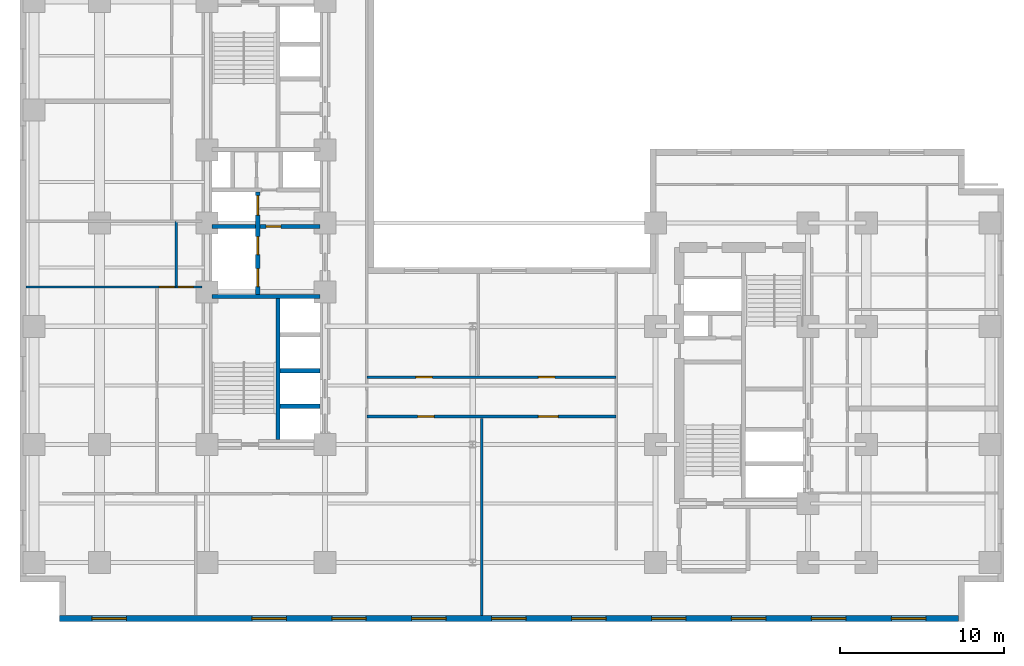
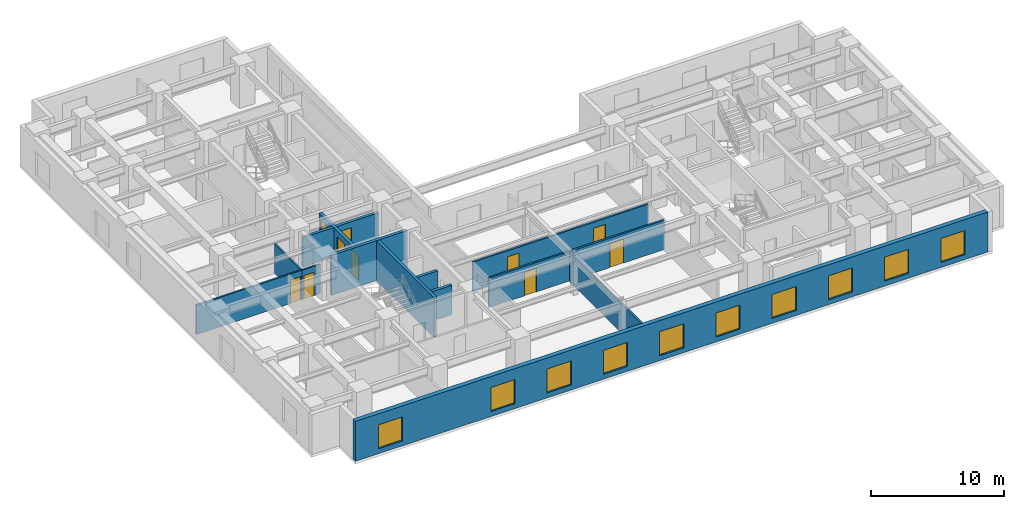
# One storey, part 3 of 9: 13 walls, 10 doors, 10 windows, 20 openings.
"""IFC4 building model written with IfcOpenShell, lengths in metres."""

from ifc_helpers import new_model, entity, si_unit, converted_unit, direction, frame, origin_with_axes, origin_2d_with_axis, place, context, subcontext, project, spatial, polyline, rectangle, outline, extrude, material, layer, layer_set, type_object, element, fill, save


model = new_model("IFC4")

# Units and contexts
model_context = context("Model", 3, precision=1e-05, world=origin_with_axes(), true_north=direction((0.0, 1.0)))
body_context = subcontext(model_context, "Body", "Model", "MODEL_VIEW")
ifc_project = project(units=[si_unit("LENGTHUNIT", "METRE"), si_unit("AREAUNIT", "SQUARE_METRE"), si_unit("VOLUMEUNIT", "CUBIC_METRE"), converted_unit("PLANEANGLEUNIT", "DEGREE", entity("IfcPlaneAngleMeasure", 0.017453292519943295), si_unit("PLANEANGLEUNIT", "RADIAN"), dimensions=[0, 0, 0, 0, 0, 0, 0]), si_unit("MASSUNIT", "GRAM", prefix="KILO"), si_unit("THERMODYNAMICTEMPERATUREUNIT", "KELVIN")], contexts=[model_context])

# Site, building, storey
site_placement = place(None, origin_with_axes())
site = spatial("IfcSite", under=ifc_project, at=site_placement, CompositionType="ELEMENT")
building_placement = place(site_placement, origin_with_axes())
building = spatial("IfcBuilding", under=site, at=building_placement, Name="Varnlund Millrace Tower", CompositionType="ELEMENT")
storey_placement = place(building_placement, frame((0.0, 0.0, 32.7), z_axis=(0.0, 0.0, 1.0), x_axis=(1.0, 0.0, 0.0)))
storey = spatial("IfcBuildingStorey", under=building, at=storey_placement, Name="L07", CompositionType="ELEMENT", Elevation=32.7)

# Wall, openings, windows
ifc_material_1 = material(Name="Precast concrete C50/60", Category="concrete")
ifc_layer_1 = layer(ifc_material_1, 0.38, Name="Precast concrete C50/60")
ifc_layer_set_1 = layer_set([ifc_layer_1], Name="Precast concrete C50/60")
wall_type_1 = type_object("IfcWallType", Name="Type-ExtWall-Precast-Tube-380", PredefinedType="SOLIDWALL", material=ifc_layer_set_1)
wall_1_placement = place(storey_placement, frame((57.22, 0.19, 0.0), z_axis=(0.0, 0.0, 1.0), x_axis=(-1.0, 0.0, 0.0)))
wall_1 = element("IfcWall", 1, at=wall_1_placement, inside=storey, type_object=wall_type_1, Name="Type-ExtWall-Precast-Tube-380", PredefinedType="SOLIDWALL", context=body_context, shape_type="SweptSolid", body=[
    extrude(outline(polyline([(0.0, -0.19), (54.82, -0.19), (54.82, 0.19), (0.0, 0.19), (0.0, -0.19)])), origin_with_axes(), (0.0, 0.0, 1.0), 3.66),
])
opening_1_placement = place(wall_1_placement, frame((3.037, 0.0, 0.45), z_axis=(0.0, 0.0, 1.0), x_axis=(1.0, 0.0, 0.0)))
opening_1 = element("IfcOpeningElement", 2, at=opening_1_placement, cuts=wall_1, Name="Opening L07:WN-06", PredefinedType="OPENING", context=body_context, shape_type="SweptSolid", body=[
    extrude(rectangle(XDim=2.1, YDim=0.4, at=origin_2d_with_axis()), origin_with_axes(), (0.0, 0.0, 1.0), 2.2),
])
opening_2_placement = place(wall_1_placement, frame((7.912, 0.0, 0.45), z_axis=(0.0, 0.0, 1.0), x_axis=(1.0, 0.0, 0.0)))
opening_2 = element("IfcOpeningElement", 3, at=opening_2_placement, cuts=wall_1, Name="Opening L07:WN-07", PredefinedType="OPENING", context=body_context, shape_type="SweptSolid", body=[
    extrude(rectangle(XDim=2.1, YDim=0.4, at=origin_2d_with_axis()), origin_with_axes(), (0.0, 0.0, 1.0), 2.2),
])
opening_3_placement = place(wall_1_placement, frame((12.786, 0.0, 0.45), z_axis=(0.0, 0.0, 1.0), x_axis=(1.0, 0.0, 0.0)))
opening_3 = element("IfcOpeningElement", 4, at=opening_3_placement, cuts=wall_1, Name="Opening L07:WN-08", PredefinedType="OPENING", context=body_context, shape_type="SweptSolid", body=[
    extrude(rectangle(XDim=2.1, YDim=0.4, at=origin_2d_with_axis()), origin_with_axes(), (0.0, 0.0, 1.0), 2.2),
])
opening_4_placement = place(wall_1_placement, frame((17.661, 0.0, 0.45), z_axis=(0.0, 0.0, 1.0), x_axis=(1.0, 0.0, 0.0)))
opening_4 = element("IfcOpeningElement", 5, at=opening_4_placement, cuts=wall_1, Name="Opening L07:WN-09", PredefinedType="OPENING", context=body_context, shape_type="SweptSolid", body=[
    extrude(rectangle(XDim=2.1, YDim=0.4, at=origin_2d_with_axis()), origin_with_axes(), (0.0, 0.0, 1.0), 2.2),
])
opening_5_placement = place(wall_1_placement, frame((22.535, 0.0, 0.45), z_axis=(0.0, 0.0, 1.0), x_axis=(1.0, 0.0, 0.0)))
opening_5 = element("IfcOpeningElement", 6, at=opening_5_placement, cuts=wall_1, Name="Opening L07:WN-10", PredefinedType="OPENING", context=body_context, shape_type="SweptSolid", body=[
    extrude(rectangle(XDim=2.1, YDim=0.4, at=origin_2d_with_axis()), origin_with_axes(), (0.0, 0.0, 1.0), 2.2),
])
opening_6_placement = place(wall_1_placement, frame((27.41, 0.0, 0.45), z_axis=(0.0, 0.0, 1.0), x_axis=(1.0, 0.0, 0.0)))
opening_6 = element("IfcOpeningElement", 7, at=opening_6_placement, cuts=wall_1, Name="Opening L07:WN-11", PredefinedType="OPENING", context=body_context, shape_type="SweptSolid", body=[
    extrude(rectangle(XDim=2.1, YDim=0.4, at=origin_2d_with_axis()), origin_with_axes(), (0.0, 0.0, 1.0), 2.2),
])
opening_7_placement = place(wall_1_placement, frame((32.285, 0.0, 0.45), z_axis=(0.0, 0.0, 1.0), x_axis=(1.0, 0.0, 0.0)))
opening_7 = element("IfcOpeningElement", 8, at=opening_7_placement, cuts=wall_1, Name="Opening L07:WN-12", PredefinedType="OPENING", context=body_context, shape_type="SweptSolid", body=[
    extrude(rectangle(XDim=2.1, YDim=0.4, at=origin_2d_with_axis()), origin_with_axes(), (0.0, 0.0, 1.0), 2.2),
])
opening_8_placement = place(wall_1_placement, frame((37.159, 0.0, 0.45), z_axis=(0.0, 0.0, 1.0), x_axis=(1.0, 0.0, 0.0)))
opening_8 = element("IfcOpeningElement", 9, at=opening_8_placement, cuts=wall_1, Name="Opening L07:WN-13", PredefinedType="OPENING", context=body_context, shape_type="SweptSolid", body=[
    extrude(rectangle(XDim=2.1, YDim=0.4, at=origin_2d_with_axis()), origin_with_axes(), (0.0, 0.0, 1.0), 2.2),
])
opening_9_placement = place(wall_1_placement, frame((42.034, 0.0, 0.45), z_axis=(0.0, 0.0, 1.0), x_axis=(1.0, 0.0, 0.0)))
opening_9 = element("IfcOpeningElement", 10, at=opening_9_placement, cuts=wall_1, Name="Opening L07:WN-14", PredefinedType="OPENING", context=body_context, shape_type="SweptSolid", body=[
    extrude(rectangle(XDim=2.1, YDim=0.4, at=origin_2d_with_axis()), origin_with_axes(), (0.0, 0.0, 1.0), 2.2),
])
opening_10_placement = place(wall_1_placement, frame((51.783, 0.0, 0.45), z_axis=(0.0, 0.0, 1.0), x_axis=(1.0, 0.0, 0.0)))
opening_10 = element("IfcOpeningElement", 11, at=opening_10_placement, cuts=wall_1, Name="Opening L07:WN-15", PredefinedType="OPENING", context=body_context, shape_type="SweptSolid", body=[
    extrude(rectangle(XDim=2.1, YDim=0.4, at=origin_2d_with_axis()), origin_with_axes(), (0.0, 0.0, 1.0), 2.2),
])
ifc_material_2 = material(Name="Argon low-e triple glazing in thermally broken bronze frame", Category="glass")
window_type = type_object("IfcWindowType", Name="Type-Window-Punched-2100X2200", PartitioningType="SINGLE_PANEL", PredefinedType="WINDOW", material=ifc_material_2)
window_1_placement = place(wall_1_placement, frame((3.037, 0.0, 0.45), z_axis=(0.0, 0.0, 1.0), x_axis=(1.0, 0.0, 0.0)))
window_1 = element("IfcWindow", 12, at=window_1_placement, inside=storey, type_object=window_type, Name="Type-Window-Punched-2100X2200", OverallHeight=2.2, OverallWidth=2.1, PredefinedType="WINDOW", context=body_context, shape_type="SweptSolid", body=[
    extrude(rectangle(XDim=2.1, YDim=0.09, at=origin_2d_with_axis()), origin_with_axes(), (0.0, 0.0, 1.0), 2.2),
])
fill(opening_1, window_1)
window_2_placement = place(wall_1_placement, frame((7.912, 0.0, 0.45), z_axis=(0.0, 0.0, 1.0), x_axis=(1.0, 0.0, 0.0)))
window_2 = element("IfcWindow", 13, at=window_2_placement, inside=storey, type_object=window_type, Name="Type-Window-Punched-2100X2200", OverallHeight=2.2, OverallWidth=2.1, PredefinedType="WINDOW", context=body_context, shape_type="SweptSolid", body=[
    extrude(rectangle(XDim=2.1, YDim=0.09, at=origin_2d_with_axis()), origin_with_axes(), (0.0, 0.0, 1.0), 2.2),
])
fill(opening_2, window_2)
window_3_placement = place(wall_1_placement, frame((12.786, 0.0, 0.45), z_axis=(0.0, 0.0, 1.0), x_axis=(1.0, 0.0, 0.0)))
window_3 = element("IfcWindow", 14, at=window_3_placement, inside=storey, type_object=window_type, Name="Type-Window-Punched-2100X2200", OverallHeight=2.2, OverallWidth=2.1, PredefinedType="WINDOW", context=body_context, shape_type="SweptSolid", body=[
    extrude(rectangle(XDim=2.1, YDim=0.09, at=origin_2d_with_axis()), origin_with_axes(), (0.0, 0.0, 1.0), 2.2),
])
fill(opening_3, window_3)
window_4_placement = place(wall_1_placement, frame((17.661, 0.0, 0.45), z_axis=(0.0, 0.0, 1.0), x_axis=(1.0, 0.0, 0.0)))
window_4 = element("IfcWindow", 15, at=window_4_placement, inside=storey, type_object=window_type, Name="Type-Window-Punched-2100X2200", OverallHeight=2.2, OverallWidth=2.1, PredefinedType="WINDOW", context=body_context, shape_type="SweptSolid", body=[
    extrude(rectangle(XDim=2.1, YDim=0.09, at=origin_2d_with_axis()), origin_with_axes(), (0.0, 0.0, 1.0), 2.2),
])
fill(opening_4, window_4)
window_5_placement = place(wall_1_placement, frame((22.535, 0.0, 0.45), z_axis=(0.0, 0.0, 1.0), x_axis=(1.0, 0.0, 0.0)))
window_5 = element("IfcWindow", 16, at=window_5_placement, inside=storey, type_object=window_type, Name="Type-Window-Punched-2100X2200", OverallHeight=2.2, OverallWidth=2.1, PredefinedType="WINDOW", context=body_context, shape_type="SweptSolid", body=[
    extrude(rectangle(XDim=2.1, YDim=0.09, at=origin_2d_with_axis()), origin_with_axes(), (0.0, 0.0, 1.0), 2.2),
])
fill(opening_5, window_5)
window_6_placement = place(wall_1_placement, frame((27.41, 0.0, 0.45), z_axis=(0.0, 0.0, 1.0), x_axis=(1.0, 0.0, 0.0)))
window_6 = element("IfcWindow", 17, at=window_6_placement, inside=storey, type_object=window_type, Name="Type-Window-Punched-2100X2200", OverallHeight=2.2, OverallWidth=2.1, PredefinedType="WINDOW", context=body_context, shape_type="SweptSolid", body=[
    extrude(rectangle(XDim=2.1, YDim=0.09, at=origin_2d_with_axis()), origin_with_axes(), (0.0, 0.0, 1.0), 2.2),
])
fill(opening_6, window_6)
window_7_placement = place(wall_1_placement, frame((32.285, 0.0, 0.45), z_axis=(0.0, 0.0, 1.0), x_axis=(1.0, 0.0, 0.0)))
window_7 = element("IfcWindow", 18, at=window_7_placement, inside=storey, type_object=window_type, Name="Type-Window-Punched-2100X2200", OverallHeight=2.2, OverallWidth=2.1, PredefinedType="WINDOW", context=body_context, shape_type="SweptSolid", body=[
    extrude(rectangle(XDim=2.1, YDim=0.09, at=origin_2d_with_axis()), origin_with_axes(), (0.0, 0.0, 1.0), 2.2),
])
fill(opening_7, window_7)
window_8_placement = place(wall_1_placement, frame((37.159, 0.0, 0.45), z_axis=(0.0, 0.0, 1.0), x_axis=(1.0, 0.0, 0.0)))
window_8 = element("IfcWindow", 19, at=window_8_placement, inside=storey, type_object=window_type, Name="Type-Window-Punched-2100X2200", OverallHeight=2.2, OverallWidth=2.1, PredefinedType="WINDOW", context=body_context, shape_type="SweptSolid", body=[
    extrude(rectangle(XDim=2.1, YDim=0.09, at=origin_2d_with_axis()), origin_with_axes(), (0.0, 0.0, 1.0), 2.2),
])
fill(opening_8, window_8)
window_9_placement = place(wall_1_placement, frame((42.034, 0.0, 0.45), z_axis=(0.0, 0.0, 1.0), x_axis=(1.0, 0.0, 0.0)))
window_9 = element("IfcWindow", 20, at=window_9_placement, inside=storey, type_object=window_type, Name="Type-Window-Punched-2100X2200", OverallHeight=2.2, OverallWidth=2.1, PredefinedType="WINDOW", context=body_context, shape_type="SweptSolid", body=[
    extrude(rectangle(XDim=2.1, YDim=0.09, at=origin_2d_with_axis()), origin_with_axes(), (0.0, 0.0, 1.0), 2.2),
])
fill(opening_9, window_9)
window_10_placement = place(wall_1_placement, frame((51.783, 0.0, 0.45), z_axis=(0.0, 0.0, 1.0), x_axis=(1.0, 0.0, 0.0)))
window_10 = element("IfcWindow", 21, at=window_10_placement, inside=storey, type_object=window_type, Name="Type-Window-Punched-2100X2200", OverallHeight=2.2, OverallWidth=2.1, PredefinedType="WINDOW", context=body_context, shape_type="SweptSolid", body=[
    extrude(rectangle(XDim=2.1, YDim=0.09, at=origin_2d_with_axis()), origin_with_axes(), (0.0, 0.0, 1.0), 2.2),
])
fill(opening_10, window_10)

# Wall, openings, doors
ifc_material_3 = material(Name="Fire-rated gypsum board on cold-formed steel framing", Category="steel")
ifc_layer_2 = layer(ifc_material_3, 0.16, Name="Fire-rated gypsum board on cold-formed steel framing")
ifc_layer_set_2 = layer_set([ifc_layer_2], Name="Fire-rated gypsum board on cold-formed steel framing")
wall_type_2 = type_object("IfcWallType", Name="Type-Partition-Corridor-160", PredefinedType="PARTITIONING", material=ifc_layer_set_2)
wall_2_placement = place(storey_placement, frame((21.15, 12.5, 0.0), z_axis=(0.0, 0.0, 1.0), x_axis=(1.0, 0.0, 0.0)))
wall_2 = element("IfcWall", 22, at=wall_2_placement, inside=storey, type_object=wall_type_2, Name="Type-Partition-Corridor-160", PredefinedType="PARTITIONING", context=body_context, shape_type="SweptSolid", body=[
    extrude(outline(polyline([(0.0, -0.08), (15.2, -0.08), (15.2, 0.08), (0.0, 0.08), (0.0, -0.08)])), origin_with_axes(), (0.0, 0.0, 1.0), 2.7),
])
opening_11_placement = place(wall_2_placement, frame((3.595, 0.0, 0.0), z_axis=(0.0, 0.0, 1.0), x_axis=(1.0, 0.0, 0.0)))
opening_11 = element("IfcOpeningElement", 23, at=opening_11_placement, cuts=wall_2, Name="Opening L07:DR-KNS-01", PredefinedType="OPENING", context=body_context, shape_type="SweptSolid", body=[
    extrude(rectangle(XDim=1.0, YDim=0.18, at=origin_2d_with_axis()), origin_with_axes(), (0.0, 0.0, 1.0), 2.15),
])
opening_12_placement = place(wall_2_placement, frame((11.065, 0.0, 0.0), z_axis=(0.0, 0.0, 1.0), x_axis=(1.0, 0.0, 0.0)))
opening_12 = element("IfcOpeningElement", 24, at=opening_12_placement, cuts=wall_2, Name="Opening L07:DR-KNS-02", PredefinedType="OPENING", context=body_context, shape_type="SweptSolid", body=[
    extrude(rectangle(XDim=1.2, YDim=0.18, at=origin_2d_with_axis()), origin_with_axes(), (0.0, 0.0, 1.0), 2.2),
])
ifc_material_4 = material(Name="Wide executive white oak acoustic door")
door_type_1 = type_object("IfcDoorType", Name="Type-IntDoor-Exec-1200X2200", OperationType="NOTDEFINED", PredefinedType="DOOR", material=ifc_material_4)
door_1_placement = place(wall_2_placement, frame((11.065, 0.0, 0.0), z_axis=(0.0, 0.0, 1.0), x_axis=(1.0, 0.0, 0.0)))
door_1 = element("IfcDoor", 25, at=door_1_placement, inside=storey, type_object=door_type_1, Name="Type-IntDoor-Exec-1200X2200", OperationType="SINGLE_SWING_RIGHT", OverallHeight=2.2, OverallWidth=1.2, PredefinedType="DOOR", context=body_context, shape_type="SweptSolid", body=[
    extrude(rectangle(XDim=1.2, YDim=0.09, at=origin_2d_with_axis()), origin_with_axes(), (0.0, 0.0, 1.0), 2.2),
])
fill(opening_12, door_1)
ifc_material_5 = material(Name="Solid-core white oak and bronze frame door")
door_type_2 = type_object("IfcDoorType", Name="Type-IntDoor-Office-1000X2150", OperationType="NOTDEFINED", PredefinedType="DOOR", material=ifc_material_5)
door_2_placement = place(wall_2_placement, frame((3.595, 0.0, 0.0), z_axis=(0.0, 0.0, 1.0), x_axis=(1.0, 0.0, 0.0)))
door_2 = element("IfcDoor", 26, at=door_2_placement, inside=storey, type_object=door_type_2, Name="Type-IntDoor-Office-1000X2150", OperationType="SINGLE_SWING_LEFT", OverallHeight=2.15, OverallWidth=1.0, PredefinedType="DOOR", context=body_context, shape_type="SweptSolid", body=[
    extrude(rectangle(XDim=1.0, YDim=0.09, at=origin_2d_with_axis()), origin_with_axes(), (0.0, 0.0, 1.0), 2.15),
])
fill(opening_11, door_2)

wall_3_placement = place(storey_placement, frame((21.15, 14.9, 0.0), z_axis=(0.0, 0.0, 1.0), x_axis=(1.0, 0.0, 0.0)))
wall_3 = element("IfcWall", 27, at=wall_3_placement, inside=storey, type_object=wall_type_2, Name="Type-Partition-Corridor-160", PredefinedType="PARTITIONING", context=body_context, shape_type="SweptSolid", body=[
    extrude(outline(polyline([(0.0, -0.08), (15.2, -0.08), (15.2, 0.08), (0.0, 0.08), (0.0, -0.08)])), origin_with_axes(), (0.0, 0.0, 1.0), 2.7),
])
opening_13_placement = place(wall_3_placement, frame((3.4915, 0.0, 0.0), z_axis=(0.0, 0.0, 1.0), x_axis=(1.0, 0.0, 0.0)))
opening_13 = element("IfcOpeningElement", 28, at=opening_13_placement, cuts=wall_3, Name="Opening L07:DR-KN-01", PredefinedType="OPENING", context=body_context, shape_type="SweptSolid", body=[
    extrude(rectangle(XDim=1.0, YDim=0.18, at=origin_2d_with_axis()), origin_with_axes(), (0.0, 0.0, 1.0), 2.15),
])
opening_14_placement = place(wall_3_placement, frame((10.9615, 0.0, 0.0), z_axis=(0.0, 0.0, 1.0), x_axis=(1.0, 0.0, 0.0)))
opening_14 = element("IfcOpeningElement", 29, at=opening_14_placement, cuts=wall_3, Name="Opening L07:DR-KN-02", PredefinedType="OPENING", context=body_context, shape_type="SweptSolid", body=[
    extrude(rectangle(XDim=1.0, YDim=0.18, at=origin_2d_with_axis()), origin_with_axes(), (0.0, 0.0, 1.0), 2.15),
])
door_3_placement = place(wall_3_placement, frame((3.4915, 0.0, 0.0), z_axis=(0.0, 0.0, 1.0), x_axis=(1.0, 0.0, 0.0)))
door_3 = element("IfcDoor", 30, at=door_3_placement, inside=storey, type_object=door_type_2, Name="Type-IntDoor-Office-1000X2150", OperationType="SINGLE_SWING_LEFT", OverallHeight=2.15, OverallWidth=1.0, PredefinedType="DOOR", context=body_context, shape_type="SweptSolid", body=[
    extrude(rectangle(XDim=1.0, YDim=0.09, at=origin_2d_with_axis()), origin_with_axes(), (0.0, 0.0, 1.0), 2.15),
])
fill(opening_13, door_3)
door_4_placement = place(wall_3_placement, frame((10.9615, 0.0, 0.0), z_axis=(0.0, 0.0, 1.0), x_axis=(1.0, 0.0, 0.0)))
door_4 = element("IfcDoor", 31, at=door_4_placement, inside=storey, type_object=door_type_2, Name="Type-IntDoor-Office-1000X2150", OperationType="SINGLE_SWING_RIGHT", OverallHeight=2.15, OverallWidth=1.0, PredefinedType="DOOR", context=body_context, shape_type="SweptSolid", body=[
    extrude(rectangle(XDim=1.0, YDim=0.09, at=origin_2d_with_axis()), origin_with_axes(), (0.0, 0.0, 1.0), 2.15),
])
fill(opening_14, door_4)

# Walls
ifc_material_6 = material(Name="Acoustic STC-50 gypsum board partition", Category="gypsum")
ifc_layer_3 = layer(ifc_material_6, 0.15, Name="Acoustic STC-50 gypsum board partition")
ifc_layer_set_3 = layer_set([ifc_layer_3], Name="Acoustic STC-50 gypsum board partition")
wall_type_3 = type_object("IfcWallType", Name="Type-Partition-Demising-150", PredefinedType="PARTITIONING", material=ifc_layer_set_3)
wall_4_placement = place(storey_placement, frame((28.16, 0.36, 0.0), z_axis=(0.0, 0.0, 1.0), x_axis=(0.0, 1.0, 0.0)))
element("IfcWall", 32, at=wall_4_placement, inside=storey, type_object=wall_type_3, Name="Type-Partition-Demising-150", PredefinedType="PARTITIONING", context=body_context, shape_type="SweptSolid", body=[
    extrude(outline(polyline([(0.0, -0.075), (12.02, -0.075), (12.02, 0.075), (0.0, 0.075), (0.0, -0.075)])), origin_with_axes(), (0.0, 0.0, 1.0), 2.7),
])
ifc_material_7 = material(Name="Moisture-resistant gypsum restroom partition", Category="gypsum")
ifc_layer_4 = layer(ifc_material_7, 0.14, Name="Moisture-resistant gypsum restroom partition")
ifc_layer_set_4 = layer_set([ifc_layer_4], Name="Moisture-resistant gypsum restroom partition")
wall_type_4 = type_object("IfcWallType", Name="Type-Partition-Wet-140", PredefinedType="PARTITIONING", material=ifc_layer_set_4)
wall_5_placement = place(storey_placement, frame((9.52, 20.4, 0.0), z_axis=(0.0, 0.0, 1.0), x_axis=(0.0, 1.0, 0.0)))
element("IfcWall", 33, at=wall_5_placement, inside=storey, type_object=wall_type_4, Name="Type-Partition-Wet-140", PredefinedType="PARTITIONING", context=body_context, shape_type="SweptSolid", body=[
    extrude(outline(polyline([(0.0, -0.07), (4.0, -0.07), (4.0, 0.07), (0.0, 0.07), (0.0, -0.07)])), origin_with_axes(), (0.0, 0.0, 1.0), 2.7),
])

# Wall, opening, door
wall_6_placement = place(storey_placement, frame((9.52, 20.4, 0.0), z_axis=(0.0, 0.0, 1.0), x_axis=(1.0, 0.0, 0.0)))
wall_6 = element("IfcWall", 34, at=wall_6_placement, inside=storey, type_object=wall_type_4, Name="Type-Partition-Wet-140", PredefinedType="PARTITIONING", context=body_context, shape_type="SweptSolid", body=[
    extrude(outline(polyline([(0.0, -0.07), (1.58, -0.07), (1.58, 0.07), (0.0, 0.07), (0.0, -0.07)])), origin_with_axes(), (0.0, 0.0, 1.0), 2.7),
])
opening_15_placement = place(wall_6_placement, frame((0.59, 0.0, 0.0), z_axis=(0.0, 0.0, 1.0), x_axis=(1.0, 0.0, 0.0)))
opening_15 = element("IfcOpeningElement", 35, at=opening_15_placement, cuts=wall_6, Name="Opening L07:DR-CA-WCW", PredefinedType="OPENING", context=body_context, shape_type="SweptSolid", body=[
    extrude(rectangle(XDim=0.9, YDim=0.16, at=origin_2d_with_axis()), origin_with_axes(), (0.0, 0.0, 1.0), 2.15),
])
ifc_material_8 = material(Name="Painted steel riser and closet door", Category="steel")
door_type_3 = type_object("IfcDoorType", Name="Type-IntDoor-Closet-900X2150", OperationType="NOTDEFINED", PredefinedType="DOOR", material=ifc_material_8)
door_5_placement = place(wall_6_placement, frame((0.59, 0.0, 0.0), z_axis=(0.0, 0.0, 1.0), x_axis=(1.0, 0.0, 0.0)))
door_5 = element("IfcDoor", 36, at=door_5_placement, inside=storey, type_object=door_type_3, Name="Type-IntDoor-Closet-900X2150", OperationType="SINGLE_SWING_LEFT", OverallHeight=2.15, OverallWidth=0.9, PredefinedType="DOOR", context=body_context, shape_type="SweptSolid", body=[
    extrude(rectangle(XDim=0.9, YDim=0.084, at=origin_2d_with_axis()), origin_with_axes(), (0.0, 0.0, 1.0), 2.15),
])
fill(opening_15, door_5)

wall_7_placement = place(storey_placement, frame((0.36, 20.4, 0.0), z_axis=(0.0, 0.0, 1.0), x_axis=(1.0, 0.0, 0.0)))
wall_7 = element("IfcWall", 37, at=wall_7_placement, inside=storey, type_object=wall_type_4, Name="Type-Partition-Wet-140", PredefinedType="PARTITIONING", context=body_context, shape_type="SweptSolid", body=[
    extrude(outline(polyline([(0.0, -0.07), (9.16, -0.07), (9.16, 0.07), (0.0, 0.07), (0.0, -0.07)])), origin_with_axes(), (0.0, 0.0, 1.0), 2.7),
])
opening_16_placement = place(wall_7_placement, frame((8.59, 0.0, 0.0), z_axis=(0.0, 0.0, 1.0), x_axis=(1.0, 0.0, 0.0)))
opening_16 = element("IfcOpeningElement", 38, at=opening_16_placement, cuts=wall_7, Name="Opening L07:DR-W-MIDR", PredefinedType="OPENING", context=body_context, shape_type="SweptSolid", body=[
    extrude(rectangle(XDim=0.9, YDim=0.16, at=origin_2d_with_axis()), origin_with_axes(), (0.0, 0.0, 1.0), 2.15),
])
door_6_placement = place(wall_7_placement, frame((8.59, 0.0, 0.0), z_axis=(0.0, 0.0, 1.0), x_axis=(1.0, 0.0, 0.0)))
door_6 = element("IfcDoor", 39, at=door_6_placement, inside=storey, type_object=door_type_3, Name="Type-IntDoor-Closet-900X2150", OperationType="SINGLE_SWING_LEFT", OverallHeight=2.15, OverallWidth=0.9, PredefinedType="DOOR", context=body_context, shape_type="SweptSolid", body=[
    extrude(rectangle(XDim=0.9, YDim=0.084, at=origin_2d_with_axis()), origin_with_axes(), (0.0, 0.0, 1.0), 2.15),
])
fill(opening_16, door_6)

# Wall, openings, doors
ifc_material_9 = material(Name="Concrete C60/75", Category="concrete")
ifc_layer_5 = layer(ifc_material_9, 0.25, Name="Concrete C60/75")
ifc_layer_set_5 = layer_set([ifc_layer_5], Name="Concrete C60/75")
wall_type_5 = type_object("IfcWallType", Name="Type-ShaftWall-Fire-250", PredefinedType="SOLIDWALL", material=ifc_layer_set_5)
wall_8_placement = place(storey_placement, frame((14.5, 19.95, 0.0), z_axis=(0.0, 0.0, 1.0), x_axis=(0.0, 1.0, 0.0)))
wall_8 = element("IfcWall", 40, at=wall_8_placement, inside=storey, type_object=wall_type_5, Name="Type-ShaftWall-Fire-250", PredefinedType="SOLIDWALL", context=body_context, shape_type="SweptSolid", body=[
    extrude(outline(polyline([(0.0, -0.125), (6.25, -0.125), (6.25, 0.125), (0.0, 0.125), (0.0, -0.125)])), origin_with_axes(), (0.0, 0.0, 1.0), 2.7),
])
opening_17_placement = place(wall_8_placement, frame((1.025, 0.0, 0.0), z_axis=(0.0, 0.0, 1.0), x_axis=(1.0, 0.0, 0.0)))
opening_17 = element("IfcOpeningElement", 41, at=opening_17_placement, cuts=wall_8, Name="Opening L07:LD-FSAE1", PredefinedType="OPENING", context=body_context, shape_type="SweptSolid", body=[
    extrude(rectangle(XDim=1.1, YDim=0.27, at=origin_2d_with_axis()), origin_with_axes(), (0.0, 0.0, 1.0), 2.15),
])
opening_18_placement = place(wall_8_placement, frame((2.975, 0.0, 0.0), z_axis=(0.0, 0.0, 1.0), x_axis=(1.0, 0.0, 0.0)))
opening_18 = element("IfcOpeningElement", 42, at=opening_18_placement, cuts=wall_8, Name="Opening L07:LD-FSAE2", PredefinedType="OPENING", context=body_context, shape_type="SweptSolid", body=[
    extrude(rectangle(XDim=1.1, YDim=0.27, at=origin_2d_with_axis()), origin_with_axes(), (0.0, 0.0, 1.0), 2.15),
])
opening_19_placement = place(wall_8_placement, frame((5.425, 0.0, 0.0), z_axis=(0.0, 0.0, 1.0), x_axis=(1.0, 0.0, 0.0)))
opening_19 = element("IfcOpeningElement", 43, at=opening_19_placement, cuts=wall_8, Name="Opening L07:LD-SRV1", PredefinedType="OPENING", context=body_context, shape_type="SweptSolid", body=[
    extrude(rectangle(XDim=1.2, YDim=0.27, at=origin_2d_with_axis()), origin_with_axes(), (0.0, 0.0, 1.0), 2.15),
])
ifc_material_10 = material(Name="Stainless and architectural bronze sliding landing door")
door_type_4 = type_object("IfcDoorType", Name="Type-LiftLandingDoor-1100X2150", OperationType="NOTDEFINED", PredefinedType="DOOR", material=ifc_material_10)
door_7_placement = place(wall_8_placement, frame((1.025, 0.0, 0.0), z_axis=(0.0, 0.0, 1.0), x_axis=(1.0, 0.0, 0.0)))
door_7 = element("IfcDoor", 44, at=door_7_placement, inside=storey, type_object=door_type_4, Name="Type-LiftLandingDoor-1100X2150", OperationType="SLIDING_TO_LEFT", OverallHeight=2.15, OverallWidth=1.1, PredefinedType="DOOR", context=body_context, shape_type="SweptSolid", body=[
    extrude(rectangle(XDim=1.1, YDim=0.09, at=origin_2d_with_axis()), origin_with_axes(), (0.0, 0.0, 1.0), 2.15),
])
fill(opening_17, door_7)
door_8_placement = place(wall_8_placement, frame((2.975, 0.0, 0.0), z_axis=(0.0, 0.0, 1.0), x_axis=(1.0, 0.0, 0.0)))
door_8 = element("IfcDoor", 45, at=door_8_placement, inside=storey, type_object=door_type_4, Name="Type-LiftLandingDoor-1100X2150", OperationType="SLIDING_TO_RIGHT", OverallHeight=2.15, OverallWidth=1.1, PredefinedType="DOOR", context=body_context, shape_type="SweptSolid", body=[
    extrude(rectangle(XDim=1.1, YDim=0.09, at=origin_2d_with_axis()), origin_with_axes(), (0.0, 0.0, 1.0), 2.15),
])
fill(opening_18, door_8)
ifc_material_11 = material(Name="Heavy-duty freight sliding landing door")
door_type_5 = type_object("IfcDoorType", Name="Type-LiftLandingDoor-Service-1200X2150", OperationType="NOTDEFINED", PredefinedType="DOOR", material=ifc_material_11)
door_9_placement = place(wall_8_placement, frame((5.425, 0.0, 0.0), z_axis=(0.0, 0.0, 1.0), x_axis=(1.0, 0.0, 0.0)))
door_9 = element("IfcDoor", 46, at=door_9_placement, inside=storey, type_object=door_type_5, Name="Type-LiftLandingDoor-Service-1200X2150", OperationType="DOUBLE_DOOR_SLIDING", OverallHeight=2.15, OverallWidth=1.2, PredefinedType="DOOR", context=body_context, shape_type="SweptSolid", body=[
    extrude(rectangle(XDim=1.2, YDim=0.09, at=origin_2d_with_axis()), origin_with_axes(), (0.0, 0.0, 1.0), 2.15),
])
fill(opening_19, door_9)

# Wall, opening, door
wall_9_placement = place(storey_placement, frame((11.7, 24.1, 0.0), z_axis=(0.0, 0.0, 1.0), x_axis=(1.0, 0.0, 0.0)))
wall_9 = element("IfcWall", 47, at=wall_9_placement, inside=storey, type_object=wall_type_5, Name="Type-ShaftWall-Fire-250", PredefinedType="SOLIDWALL", context=body_context, shape_type="SweptSolid", body=[
    extrude(outline(polyline([(0.0, -0.125), (6.6, -0.125), (6.6, 0.125), (0.0, 0.125), (0.0, -0.125)])), origin_with_axes(), (0.0, 0.0, 1.0), 2.7),
])
opening_20_placement = place(wall_9_placement, frame((3.75, 0.0, 0.0), z_axis=(0.0, 0.0, 1.0), x_axis=(1.0, 0.0, 0.0)))
opening_20 = element("IfcOpeningElement", 48, at=opening_20_placement, cuts=wall_9, Name="Opening L07:DR-CA-SUB1", PredefinedType="OPENING", context=body_context, shape_type="SweptSolid", body=[
    extrude(rectangle(XDim=0.9, YDim=0.27, at=origin_2d_with_axis()), origin_with_axes(), (0.0, 0.0, 1.0), 2.15),
])
ifc_material_12 = material(Name="Fire-rated hollow steel service closet door", Category="steel")
door_type_6 = type_object("IfcDoorType", Name="Type-FireDoor-Closet-900X2150", OperationType="NOTDEFINED", PredefinedType="DOOR", material=ifc_material_12)
door_10_placement = place(wall_9_placement, frame((3.75, 0.0, 0.0), z_axis=(0.0, 0.0, 1.0), x_axis=(1.0, 0.0, 0.0)))
door_10 = element("IfcDoor", 49, at=door_10_placement, inside=storey, type_object=door_type_6, Name="Type-FireDoor-Closet-900X2150", OperationType="SINGLE_SWING_LEFT", OverallHeight=2.15, OverallWidth=0.9, PredefinedType="DOOR", context=body_context, shape_type="SweptSolid", body=[
    extrude(rectangle(XDim=0.9, YDim=0.09, at=origin_2d_with_axis()), origin_with_axes(), (0.0, 0.0, 1.0), 2.15),
])
fill(opening_20, door_10)

# Walls
for number, where, z_axis, x_axis, name in (
    (50, (15.84, 13.13, 0.0), (0.0, 0.0, 1.0), (1.0, 0.0, 0.0), "Type-ShaftWall-Fire-250"),
    (51, (15.84, 15.29, 0.0), (0.0, 0.0, 1.0), (1.0, 0.0, 0.0), "Type-ShaftWall-Fire-250"),
):
    element("IfcWall", number, at=place(storey_placement, frame(where, z_axis=z_axis, x_axis=x_axis)), inside=storey, type_object=wall_type_5, Name=name, PredefinedType="SOLIDWALL", context=body_context, shape_type="SweptSolid", body=[
        extrude(outline(polyline([(0.0, -0.125), (2.46, -0.125), (2.46, 0.125), (0.0, 0.125), (0.0, -0.125)])), origin_with_axes(), (0.0, 0.0, 1.0), 2.7),
    ])
wall_type_6 = type_object("IfcWallType", Name="Type-StairWall-Shear-250", PredefinedType="SHEAR", material=ifc_layer_set_5)
wall_10_placement = place(storey_placement, frame((15.725, 11.1, 0.0), z_axis=(0.0, 0.0, 1.0), x_axis=(0.0, 1.0, 0.0)))
element("IfcWall", 52, at=wall_10_placement, inside=storey, type_object=wall_type_6, Name="Type-StairWall-Shear-250", PredefinedType="SHEAR", context=body_context, shape_type="SweptSolid", body=[
    extrude(outline(polyline([(0.0, -0.125), (8.6, -0.125), (8.6, 0.125), (0.0, 0.125), (0.0, -0.125)])), origin_with_axes(), (0.0, 0.0, 1.0), 3.66),
])
wall_11_placement = place(storey_placement, frame((11.7, 19.825, 0.0), z_axis=(0.0, 0.0, 1.0), x_axis=(1.0, 0.0, 0.0)))
element("IfcWall", 53, at=wall_11_placement, inside=storey, type_object=wall_type_6, Name="Type-StairWall-Shear-250", PredefinedType="SHEAR", context=body_context, shape_type="SweptSolid", body=[
    extrude(outline(polyline([(0.0, -0.125), (6.6, -0.125), (6.6, 0.125), (0.0, 0.125), (0.0, -0.125)])), origin_with_axes(), (0.0, 0.0, 1.0), 3.66),
])

save(model, "model.ifc")
